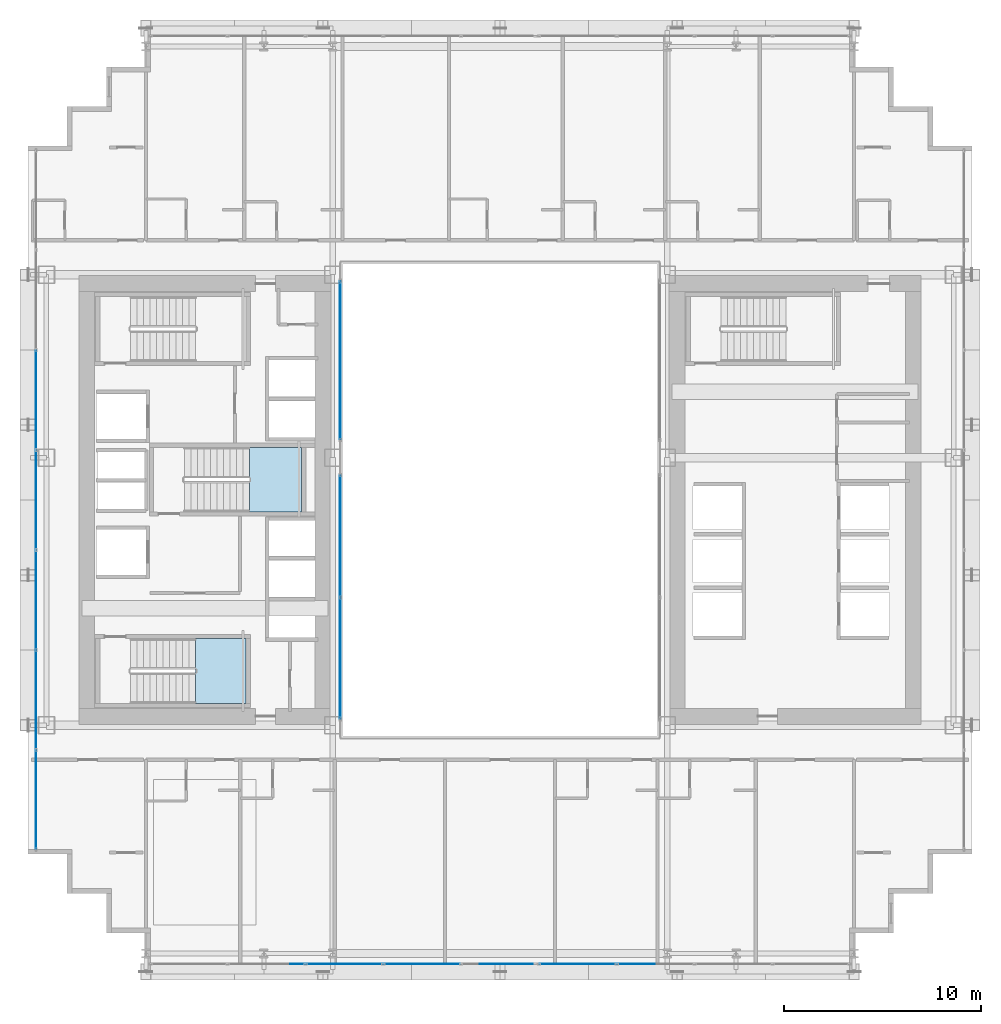
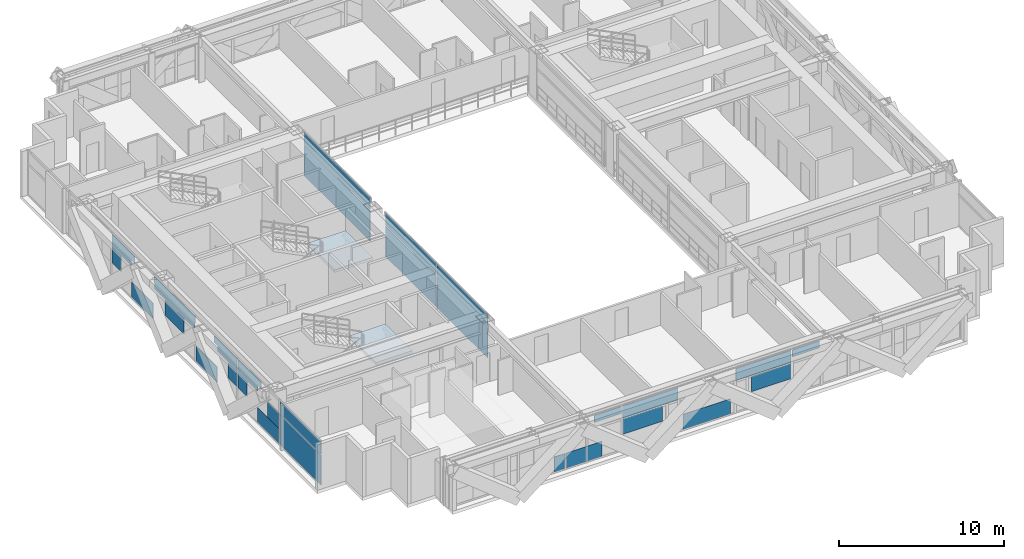
# One storey, part 27 of 41: 33 plates, 2 slabs, 6 elements without a shape of their own.
"""IFC4 building model written with IfcOpenShell, lengths in metres."""

from ifc_helpers import new_model, si_unit, direction, frame, origin, origin_2d, place, context, subcontext, project, spatial, polyline, rectangle, outline, extrude, source, transform, mapped, material, layer, layer_set, type_object, element, aggregate, save


model = new_model("IFC4")

# Units and contexts
model_context = context("Model", 3, precision=1e-05, world=origin(), true_north=direction((0.0, 1.0)))
body_context = subcontext(model_context, "Body", "Model", "MODEL_VIEW")
ifc_project = project(units=[si_unit("LENGTHUNIT", "METRE"), si_unit("AREAUNIT", "SQUARE_METRE"), si_unit("VOLUMEUNIT", "CUBIC_METRE"), si_unit("PLANEANGLEUNIT", "RADIAN"), si_unit("MASSUNIT", "GRAM", prefix="KILO")], contexts=[model_context])

# Site, building, storey
site_placement = place(None, origin())
site = spatial("IfcSite", under=ifc_project, at=site_placement, CompositionType="ELEMENT")
building_placement = place(site_placement, origin())
building = spatial("IfcBuilding", under=site, at=building_placement, Name="Ocotamira Hotel", CompositionType="ELEMENT")
storey_placement = place(building_placement, frame((0.0, 0.0, 67.199951171875)))
storey = spatial("IfcBuildingStorey", under=building, at=storey_placement, Name="L16", CompositionType="ELEMENT", Elevation=67.199951171875)

# Stair, slab
ifc_material_1 = material(Name="Concrete C40/50", Category="concrete")
stair_type = type_object("IfcStairType", Name="ST-CORE-1560", PredefinedType="HALF_TURN_STAIR", material=ifc_material_1)
stair_1_placement = place(storey_placement, origin())
stair_1 = element("IfcStair", 1, at=stair_1_placement, inside=storey, type_object=stair_type, Name="L16 Exit Stair ST-1", PredefinedType="HALF_TURN_STAIR")
ifc_layer_1 = layer(ifc_material_1, 0.199951171875)
ifc_layer_set_1 = layer_set([ifc_layer_1], Name="Concrete C40/50")
slab_type = type_object("IfcSlabType", Name="SLB-LAND-200", PredefinedType="LANDING", material=ifc_layer_set_1)
slab_1_placement = place(storey_placement, frame((0.0, 0.0, 1.60009765625)))
slab_1 = element("IfcSlab", 2, at=slab_1_placement, type_object=slab_type, Name="ST-1 landing 1", PredefinedType="LANDING", context=body_context, shape_type="SweptSolid", body=[
    extrude(outline(polyline([(16.530029296875, 15.669921875), (19.090087890625, 15.669921875), (19.090087890625, 18.949951171875), (16.530029296875, 18.949951171875), (16.530029296875, 15.669921875)])), origin(), (0.0, 0.0, 1.0), 0.199951171875),
])
aggregate(stair_1, [slab_1])

stair_2_placement = place(storey_placement, origin())
stair_2 = element("IfcStair", 3, at=stair_2_placement, inside=storey, type_object=stair_type, Name="L16 Exit Stair ST-3", PredefinedType="HALF_TURN_STAIR")
slab_2_placement = place(storey_placement, frame((0.0, 0.0, 1.60009765625)))
slab_2 = element("IfcSlab", 4, at=slab_2_placement, type_object=slab_type, Name="ST-3 landing 1", PredefinedType="LANDING", context=body_context, shape_type="SweptSolid", body=[
    extrude(outline(polyline([(19.260009765625, 25.39990234375), (21.919921875, 25.39990234375), (21.919921875, 28.679931640625), (19.260009765625, 28.679931640625), (19.260009765625, 25.39990234375)])), origin(), (0.0, 0.0, 1.0), 0.199951171875),
])
aggregate(stair_2, [slab_2])

# Curtain wall, plates
ifc_material_2 = material(Name="Anodised pale-metal aluminium and solar glass", Category="aluminium")
ifc_layer_2 = layer(ifc_material_2, 0.179931640625)
ifc_layer_set_2 = layer_set([ifc_layer_2], Name="Anodised pale-metal aluminium and solar glass")
curtain_wall_type_1 = type_object("IfcCurtainWallType", Name="CW-SYS2-Z1", PredefinedType="NOTDEFINED", material=ifc_layer_set_2)
curtain_wall_1_placement = place(storey_placement, origin())
curtain_wall_1 = element("IfcCurtainWall", 5, at=curtain_wall_1_placement, inside=storey, type_object=curtain_wall_type_1, Name="L16 Curtain Wall CW-2 CW-L16-S1", PredefinedType="NOTDEFINED")
ifc_material_3 = material(Name="Double-silver low-E insulated solar glass", Category="glass")
ifc_layer_3 = layer(ifc_material_3, 0.031982421875)
ifc_layer_set_3 = layer_set([ifc_layer_3], Name="Double-silver low-E insulated solar glass")
plate_type = type_object("IfcPlateType", Name="CWP-VISION-32", PredefinedType="CURTAIN_PANEL", material=ifc_layer_set_3)
shared_shape_1 = source(origin(), body_context, "Body", "SweptSolid", [
    extrude(rectangle(XDim=3.87548828125, YDim=0.031982421875, at=origin_2d()), origin(), (0.0, 0.0, 1.0), 0.887451171875),
])
plate_1_placement = place(storey_placement, frame((28.04443359375, 2.419921875, 2.3876953125), z_axis=(0.0, 0.0, 1.0), x_axis=(1.0, 0.0, 0.0)))
plate_1 = element("IfcPlate", 6, at=plate_1_placement, type_object=plate_type, Name="CW-2 panel 4.2", PredefinedType="CURTAIN_PANEL", context=body_context, shape_type="MappedRepresentation", body=[
    mapped(shared_shape_1, transform((0.0, 0.0, 0.0), scale=1.0)),
])
plate_2_placement = place(storey_placement, frame((35.95556640625, 2.419921875, 2.3876953125), z_axis=(0.0, 0.0, 1.0), x_axis=(1.0, 0.0, 0.0)))
plate_2 = element("IfcPlate", 7, at=plate_2_placement, type_object=plate_type, Name="CW-2 panel 6.2", PredefinedType="CURTAIN_PANEL", context=body_context, shape_type="MappedRepresentation", body=[
    mapped(shared_shape_1, transform((0.0, 0.0, 0.0), scale=1.0)),
])

curtain_wall_2_placement = place(storey_placement, origin())
curtain_wall_2 = element("IfcCurtainWall", 8, at=curtain_wall_2_placement, inside=storey, type_object=curtain_wall_type_1, Name="L16 Curtain Wall CW-2 CW-L16-W", PredefinedType="NOTDEFINED")
shared_shape_2 = source(origin(), body_context, "Body", "SweptSolid", [
    extrude(rectangle(XDim=4.9658203125, YDim=0.031982421875, at=origin_2d()), origin(), (0.0, 0.0, 1.0), 2.237548828125),
])
plate_3_placement = place(storey_placement, frame((8.419921875, 10.762939453125, 0.0751953125), z_axis=(0.0, 0.0, 1.0), x_axis=(0.0, 1.0, 0.0)))
plate_3 = element("IfcPlate", 9, at=plate_3_placement, type_object=plate_type, Name="CW-2 panel 1.1", PredefinedType="CURTAIN_PANEL", context=body_context, shape_type="MappedRepresentation", body=[
    mapped(shared_shape_2, transform((0.0, 0.0, 0.0), scale=1.0)),
])
shared_shape_3 = source(origin(), body_context, "Body", "SweptSolid", [
    extrude(rectangle(XDim=4.9658203125, YDim=0.031982421875, at=origin_2d()), origin(), (0.0, 0.0, 1.0), 0.887451171875),
])
plate_4_placement = place(storey_placement, frame((8.419921875, 10.762939453125, 2.3876953125), z_axis=(0.0, 0.0, 1.0), x_axis=(0.0, 1.0, 0.0)))
plate_4 = element("IfcPlate", 10, at=plate_4_placement, type_object=plate_type, Name="CW-2 panel 1.2", PredefinedType="CURTAIN_PANEL", context=body_context, shape_type="MappedRepresentation", body=[
    mapped(shared_shape_3, transform((0.0, 0.0, 0.0), scale=1.0)),
])

# Plate
shared_shape_4 = source(origin(), body_context, "Body", "SweptSolid", [
    extrude(rectangle(XDim=0.733642578125, YDim=0.031982421875, at=origin_2d()), origin(), (0.0, 0.0, 1.0), 1.11865234375),
])
plate_5_placement = place(storey_placement, frame((21.704345703125, 2.419921875, 0.0751953125), z_axis=(0.0, 0.0, 1.0), x_axis=(1.0, 0.0, 0.0)))
plate_5 = element("IfcPlate", 11, at=plate_5_placement, type_object=plate_type, Name="CW-2 panel 2.1.2", PredefinedType="CURTAIN_PANEL", context=body_context, shape_type="MappedRepresentation", body=[
    mapped(shared_shape_4, transform((0.0, 0.0, 0.0), scale=1.0)),
])

shared_shape_5 = source(origin(), body_context, "Body", "SweptSolid", [
    extrude(rectangle(XDim=2.51123046875, YDim=0.031982421875, at=origin_2d()), origin(), (0.0, 0.0, 1.0), 1.11865234375),
])
plate_6_placement = place(storey_placement, frame((23.40673828125, 2.419921875, 0.0751953125), z_axis=(0.0, 0.0, 1.0), x_axis=(1.0, 0.0, 0.0)))
plate_6 = element("IfcPlate", 12, at=plate_6_placement, type_object=plate_type, Name="CW-2 panel 3.1.1", PredefinedType="CURTAIN_PANEL", context=body_context, shape_type="MappedRepresentation", body=[
    mapped(shared_shape_5, transform((0.0, 0.0, 0.0), scale=1.0)),
])

shared_shape_6 = source(origin(), body_context, "Body", "SweptSolid", [
    extrude(rectangle(XDim=1.88671875, YDim=0.031982421875, at=origin_2d()), origin(), (0.0, 0.0, 1.0), 0.5107421875),
])
plate_7_placement = place(storey_placement, frame((25.08349609375, 2.419921875, 2.76416015625), z_axis=(0.0, 0.0, 1.0), x_axis=(1.0, 0.0, 0.0)))
plate_7 = element("IfcPlate", 13, at=plate_7_placement, type_object=plate_type, Name="CW-2 panel 3.2.1", PredefinedType="CURTAIN_PANEL", context=body_context, shape_type="MappedRepresentation", body=[
    mapped(shared_shape_6, transform((0.0, 0.0, 0.0), scale=1.0)),
])

plate_8_placement = place(storey_placement, frame((38.91650390625, 2.419921875, 2.76416015625), z_axis=(0.0, 0.0, 1.0), x_axis=(1.0, 0.0, 0.0)))
plate_8 = element("IfcPlate", 14, at=plate_8_placement, type_object=plate_type, Name="CW-2 panel 7.2.1", PredefinedType="CURTAIN_PANEL", context=body_context, shape_type="MappedRepresentation", body=[
    mapped(shared_shape_6, transform((0.0, 0.0, 0.0), scale=1.0)),
])

shared_shape_7 = source(origin(), body_context, "Body", "SweptSolid", [
    extrude(rectangle(XDim=3.324951171875, YDim=0.031982421875, at=origin_2d()), origin(), (0.0, 0.0, 1.0), 1.11865234375),
])
plate_9_placement = place(storey_placement, frame((32.0, 2.419921875, 0.0751953125), z_axis=(0.0, 0.0, 1.0), x_axis=(1.0, 0.0, 0.0)))
plate_9 = element("IfcPlate", 15, at=plate_9_placement, type_object=plate_type, Name="CW-2 panel 5.1.1", PredefinedType="CURTAIN_PANEL", context=body_context, shape_type="MappedRepresentation", body=[
    mapped(shared_shape_7, transform((0.0, 0.0, 0.0), scale=1.0)),
])

shared_shape_8 = source(origin(), body_context, "Body", "SweptSolid", [
    extrude(rectangle(XDim=2.58935546875, YDim=0.031982421875, at=origin_2d()), origin(), (0.0, 0.0, 1.0), 1.11865234375),
])
plate_10_placement = place(storey_placement, frame((8.419921875, 14.620361328125, 0.0751953125), z_axis=(0.0, 0.0, 1.0), x_axis=(0.0, 1.0, 0.0)))
plate_10 = element("IfcPlate", 16, at=plate_10_placement, type_object=plate_type, Name="CW-2 panel 2.1.1", PredefinedType="CURTAIN_PANEL", context=body_context, shape_type="MappedRepresentation", body=[
    mapped(shared_shape_8, transform((0.0, 0.0, 0.0), scale=1.0)),
])

shared_shape_9 = source(origin(), body_context, "Body", "SweptSolid", [
    extrude(rectangle(XDim=2.796630859375, YDim=0.031982421875, at=origin_2d()), origin(), (0.0, 0.0, 1.0), 0.485107421875),
])
plate_11_placement = place(storey_placement, frame((8.419921875, 16.93310546875, 2.7900390625), z_axis=(0.0, 0.0, 1.0), x_axis=(0.0, 1.0, 0.0)))
plate_11 = element("IfcPlate", 17, at=plate_11_placement, type_object=plate_type, Name="CW-2 panel 2.2.1", PredefinedType="CURTAIN_PANEL", context=body_context, shape_type="MappedRepresentation", body=[
    mapped(shared_shape_9, transform((0.0, 0.0, 0.0), scale=1.0)),
])

shared_shape_10 = source(origin(), body_context, "Body", "SweptSolid", [
    extrude(rectangle(XDim=2.3701171875, YDim=0.031982421875, at=origin_2d()), origin(), (0.0, 0.0, 1.0), 0.367919921875),
])
plate_12_placement = place(storey_placement, frame((8.419921875, 17.146240234375, 2.3876953125), z_axis=(0.0, 0.0, 1.0), x_axis=(0.0, 1.0, 0.0)))
plate_12 = element("IfcPlate", 18, at=plate_12_placement, type_object=plate_type, Name="CW-2 panel 2.2.2", PredefinedType="CURTAIN_PANEL", context=body_context, shape_type="MappedRepresentation", body=[
    mapped(shared_shape_10, transform((0.0, 0.0, 0.0), scale=1.0)),
])

shared_shape_11 = source(origin(), body_context, "Body", "SweptSolid", [
    extrude(rectangle(XDim=2.59912109375, YDim=0.031982421875, at=origin_2d()), origin(), (0.0, 0.0, 1.0), 1.11865234375),
])
plate_13_placement = place(storey_placement, frame((8.419921875, 22.11767578125, 0.0751953125), z_axis=(0.0, 0.0, 1.0), x_axis=(0.0, 1.0, 0.0)))
plate_13 = element("IfcPlate", 19, at=plate_13_placement, type_object=plate_type, Name="CW-2 panel 3.1.2", PredefinedType="CURTAIN_PANEL", context=body_context, shape_type="MappedRepresentation", body=[
    mapped(shared_shape_11, transform((0.0, 0.0, 0.0), scale=1.0)),
])

plate_14_placement = place(storey_placement, frame((8.419921875, 29.88232421875, 0.0751953125), z_axis=(0.0, 0.0, 1.0), x_axis=(0.0, 1.0, 0.0)))
plate_14 = element("IfcPlate", 20, at=plate_14_placement, type_object=plate_type, Name="CW-2 panel 5.1.1", PredefinedType="CURTAIN_PANEL", context=body_context, shape_type="MappedRepresentation", body=[
    mapped(shared_shape_11, transform((0.0, 0.0, 0.0), scale=1.0)),
])

shared_shape_12 = source(origin(), body_context, "Body", "SweptSolid", [
    extrude(rectangle(XDim=2.360595703125, YDim=0.031982421875, at=origin_2d()), origin(), (0.0, 0.0, 1.0), 0.367919921875),
])
plate_15_placement = place(storey_placement, frame((8.419921875, 19.591796875, 2.3876953125), z_axis=(0.0, 0.0, 1.0), x_axis=(0.0, 1.0, 0.0)))
plate_15 = element("IfcPlate", 21, at=plate_15_placement, type_object=plate_type, Name="CW-2 panel 3.2.1", PredefinedType="CURTAIN_PANEL", context=body_context, shape_type="MappedRepresentation", body=[
    mapped(shared_shape_12, transform((0.0, 0.0, 0.0), scale=1.0)),
])

plate_16_placement = place(storey_placement, frame((8.419921875, 32.408203125, 2.3876953125), z_axis=(0.0, 0.0, 1.0), x_axis=(0.0, 1.0, 0.0)))
plate_16 = element("IfcPlate", 22, at=plate_16_placement, type_object=plate_type, Name="CW-2 panel 5.2.2", PredefinedType="CURTAIN_PANEL", context=body_context, shape_type="MappedRepresentation", body=[
    mapped(shared_shape_12, transform((0.0, 0.0, 0.0), scale=1.0)),
])

shared_shape_13 = source(origin(), body_context, "Body", "SweptSolid", [
    extrude(rectangle(XDim=2.787109375, YDim=0.031982421875, at=origin_2d()), origin(), (0.0, 0.0, 1.0), 0.485107421875),
])
plate_17_placement = place(storey_placement, frame((8.419921875, 19.804931640625, 2.7900390625), z_axis=(0.0, 0.0, 1.0), x_axis=(0.0, 1.0, 0.0)))
plate_17 = element("IfcPlate", 23, at=plate_17_placement, type_object=plate_type, Name="CW-2 panel 3.2.2", PredefinedType="CURTAIN_PANEL", context=body_context, shape_type="MappedRepresentation", body=[
    mapped(shared_shape_13, transform((0.0, 0.0, 0.0), scale=1.0)),
])

plate_18_placement = place(storey_placement, frame((8.419921875, 32.195068359375, 2.7900390625), z_axis=(0.0, 0.0, 1.0), x_axis=(0.0, 1.0, 0.0)))
plate_18 = element("IfcPlate", 24, at=plate_18_placement, type_object=plate_type, Name="CW-2 panel 5.2.1", PredefinedType="CURTAIN_PANEL", context=body_context, shape_type="MappedRepresentation", body=[
    mapped(shared_shape_13, transform((0.0, 0.0, 0.0), scale=1.0)),
])

shared_shape_14 = source(origin(), body_context, "Body", "SweptSolid", [
    extrude(rectangle(XDim=5.005615234375, YDim=0.031982421875, at=origin_2d()), origin(), (0.0, 0.0, 1.0), 0.485107421875),
])
plate_19_placement = place(storey_placement, frame((8.419921875, 26.0, 2.7900390625), z_axis=(0.0, 0.0, 1.0), x_axis=(0.0, 1.0, 0.0)))
plate_19 = element("IfcPlate", 25, at=plate_19_placement, type_object=plate_type, Name="CW-2 panel 4.2.1", PredefinedType="CURTAIN_PANEL", context=body_context, shape_type="MappedRepresentation", body=[
    mapped(shared_shape_14, transform((0.0, 0.0, 0.0), scale=1.0)),
])

shared_shape_15 = source(origin(), body_context, "Body", "SweptSolid", [
    extrude(rectangle(XDim=4.81103515625, YDim=0.031982421875, at=origin_2d()), origin(), (0.0, 0.0, 1.0), 0.40234375),
])
plate_20_placement = place(storey_placement, frame((8.419921875, 26.0, 2.387451171875), z_axis=(0.0, 0.0, 1.0), x_axis=(0.0, 1.0, 0.0)))
plate_20 = element("IfcPlate", 26, at=plate_20_placement, type_object=plate_type, Name="CW-2 panel 4.2.2", PredefinedType="CURTAIN_PANEL", context=body_context, shape_type="MappedRepresentation", body=[
    mapped(shared_shape_15, transform((0.0, 0.0, 0.0), scale=1.0)),
])

# Curtain wall, plates
ifc_layer_4 = layer(ifc_material_2, 0.159912109375)
ifc_layer_set_4 = layer_set([ifc_layer_4], Name="Anodised pale-metal aluminium and solar glass")
curtain_wall_type_2 = type_object("IfcCurtainWallType", Name="CW-SYS6-ATR", PredefinedType="NOTDEFINED", material=ifc_layer_set_4)
curtain_wall_3_placement = place(storey_placement, origin())
curtain_wall_3 = element("IfcCurtainWall", 27, at=curtain_wall_3_placement, inside=storey, type_object=curtain_wall_type_2, Name="L16 Curtain Wall CW-6 CW-L16-ATRW1", PredefinedType="NOTDEFINED")
shared_shape_16 = source(origin(), body_context, "Body", "SweptSolid", [
    extrude(rectangle(XDim=6.1298828125, YDim=0.031982421875, at=origin_2d()), origin(), (0.0, 0.0, 1.0), 2.237548828125),
])
plate_21_placement = place(storey_placement, frame((23.8798828125, 17.945068359375, 0.0751953125), z_axis=(0.0, 0.0, 1.0), x_axis=(0.0, 1.0, 0.0)))
plate_21 = element("IfcPlate", 28, at=plate_21_placement, type_object=plate_type, Name="CW-6 panel 1.1", PredefinedType="CURTAIN_PANEL", context=body_context, shape_type="MappedRepresentation", body=[
    mapped(shared_shape_16, transform((0.0, 0.0, 0.0), scale=1.0)),
])
plate_22_placement = place(storey_placement, frame((23.8798828125, 24.155029296875, 0.0751953125), z_axis=(0.0, 0.0, 1.0), x_axis=(0.0, 1.0, 0.0)))
plate_22 = element("IfcPlate", 29, at=plate_22_placement, type_object=plate_type, Name="CW-6 panel 2.1", PredefinedType="CURTAIN_PANEL", context=body_context, shape_type="MappedRepresentation", body=[
    mapped(shared_shape_16, transform((0.0, 0.0, 0.0), scale=1.0)),
])
shared_shape_17 = source(origin(), body_context, "Body", "SweptSolid", [
    extrude(rectangle(XDim=6.1298828125, YDim=0.031982421875, at=origin_2d()), origin(), (0.0, 0.0, 1.0), 0.887451171875),
])
plate_23_placement = place(storey_placement, frame((23.8798828125, 17.945068359375, 2.3876953125), z_axis=(0.0, 0.0, 1.0), x_axis=(0.0, 1.0, 0.0)))
plate_23 = element("IfcPlate", 30, at=plate_23_placement, type_object=plate_type, Name="CW-6 panel 1.2", PredefinedType="CURTAIN_PANEL", context=body_context, shape_type="MappedRepresentation", body=[
    mapped(shared_shape_17, transform((0.0, 0.0, 0.0), scale=1.0)),
])
plate_24_placement = place(storey_placement, frame((23.8798828125, 24.155029296875, 2.3876953125), z_axis=(0.0, 0.0, 1.0), x_axis=(0.0, 1.0, 0.0)))
plate_24 = element("IfcPlate", 31, at=plate_24_placement, type_object=plate_type, Name="CW-6 panel 2.2", PredefinedType="CURTAIN_PANEL", context=body_context, shape_type="MappedRepresentation", body=[
    mapped(shared_shape_17, transform((0.0, 0.0, 0.0), scale=1.0)),
])
aggregate(curtain_wall_3, [plate_21, plate_23, plate_22, plate_24])

curtain_wall_4_placement = place(storey_placement, origin())
curtain_wall_4 = element("IfcCurtainWall", 32, at=curtain_wall_4_placement, inside=storey, type_object=curtain_wall_type_2, Name="L16 Curtain Wall CW-6 CW-L16-ATRW2", PredefinedType="NOTDEFINED")
shared_shape_18 = source(origin(), body_context, "Body", "SweptSolid", [
    extrude(rectangle(XDim=8.0400390625, YDim=0.031982421875, at=origin_2d()), origin(), (0.0, 0.0, 1.0), 2.237548828125),
])
plate_25_placement = place(storey_placement, frame((23.8798828125, 33.10009765625, 0.0751953125), z_axis=(0.0, 0.0, 1.0), x_axis=(0.0, 1.0, 0.0)))
plate_25 = element("IfcPlate", 33, at=plate_25_placement, type_object=plate_type, Name="CW-6 panel 1.1", PredefinedType="CURTAIN_PANEL", context=body_context, shape_type="MappedRepresentation", body=[
    mapped(shared_shape_18, transform((0.0, 0.0, 0.0), scale=1.0)),
])
shared_shape_19 = source(origin(), body_context, "Body", "SweptSolid", [
    extrude(rectangle(XDim=8.0400390625, YDim=0.031982421875, at=origin_2d()), origin(), (0.0, 0.0, 1.0), 0.887451171875),
])
plate_26_placement = place(storey_placement, frame((23.8798828125, 33.10009765625, 2.3876953125), z_axis=(0.0, 0.0, 1.0), x_axis=(0.0, 1.0, 0.0)))
plate_26 = element("IfcPlate", 34, at=plate_26_placement, type_object=plate_type, Name="CW-6 panel 1.2", PredefinedType="CURTAIN_PANEL", context=body_context, shape_type="MappedRepresentation", body=[
    mapped(shared_shape_19, transform((0.0, 0.0, 0.0), scale=1.0)),
])
aggregate(curtain_wall_4, [plate_25, plate_26])

# Plate
shared_shape_20 = source(origin(), body_context, "Body", "SweptSolid", [
    extrude(rectangle(XDim=2.27978515625, YDim=0.031982421875, at=origin_2d()), origin(), (0.0, 0.0, 1.0), 1.118896484375),
])
plate_27_placement = place(storey_placement, frame((8.419921875, 26.0, 1.19384765625), z_axis=(0.0, 0.0, 1.0), x_axis=(0.0, 1.0, 0.0)))
plate_27 = element("IfcPlate", 35, at=plate_27_placement, type_object=plate_type, Name="CW-2 panel 4.1.1", PredefinedType="CURTAIN_PANEL", context=body_context, shape_type="MappedRepresentation", body=[
    mapped(shared_shape_20, transform((0.0, 0.0, 0.0), scale=1.0)),
])

shared_shape_21 = source(origin(), body_context, "Body", "SweptSolid", [
    extrude(rectangle(XDim=2.790283203125, YDim=0.031982421875, at=origin_2d()), origin(), (0.0, 0.0, 1.0), 1.118896484375),
])
plate_28_placement = place(storey_placement, frame((27.501708984375, 2.419921875, 1.19384765625), z_axis=(0.0, 0.0, 1.0), x_axis=(1.0, 0.0, 0.0)))
plate_28 = element("IfcPlate", 36, at=plate_28_placement, type_object=plate_type, Name="CW-2 panel 4.1.1", PredefinedType="CURTAIN_PANEL", context=body_context, shape_type="MappedRepresentation", body=[
    mapped(shared_shape_21, transform((0.0, 0.0, 0.0), scale=1.0)),
])

plate_29_placement = place(storey_placement, frame((36.498291015625, 2.419921875, 1.19384765625), z_axis=(0.0, 0.0, 1.0), x_axis=(1.0, 0.0, 0.0)))
plate_29 = element("IfcPlate", 37, at=plate_29_placement, type_object=plate_type, Name="CW-2 panel 6.1.1", PredefinedType="CURTAIN_PANEL", context=body_context, shape_type="MappedRepresentation", body=[
    mapped(shared_shape_21, transform((0.0, 0.0, 0.0), scale=1.0)),
])

aggregate(curtain_wall_1, [plate_5, plate_6, plate_7, plate_28, plate_1, plate_9, plate_29, plate_2, plate_8])

shared_shape_22 = source(origin(), body_context, "Body", "SweptSolid", [
    extrude(rectangle(XDim=1.4033203125, YDim=0.031982421875, at=origin_2d()), origin(), (0.0, 0.0, 1.0), 1.118896484375),
])
plate_30_placement = place(storey_placement, frame((8.419921875, 14.02734375, 1.19384765625), z_axis=(0.0, 0.0, 1.0), x_axis=(0.0, 1.0, 0.0)))
plate_30 = element("IfcPlate", 38, at=plate_30_placement, type_object=plate_type, Name="CW-2 panel 2.1.2", PredefinedType="CURTAIN_PANEL", context=body_context, shape_type="MappedRepresentation", body=[
    mapped(shared_shape_22, transform((0.0, 0.0, 0.0), scale=1.0)),
])

shared_shape_23 = source(origin(), body_context, "Body", "SweptSolid", [
    extrude(rectangle(XDim=1.104736328125, YDim=0.031982421875, at=origin_2d()), origin(), (0.0, 0.0, 1.0), 1.118896484375),
])
plate_31_placement = place(storey_placement, frame((8.419921875, 17.779052734375, 1.19384765625), z_axis=(0.0, 0.0, 1.0), x_axis=(0.0, 1.0, 0.0)))
plate_31 = element("IfcPlate", 39, at=plate_31_placement, type_object=plate_type, Name="CW-2 panel 2.1.3", PredefinedType="CURTAIN_PANEL", context=body_context, shape_type="MappedRepresentation", body=[
    mapped(shared_shape_23, transform((0.0, 0.0, 0.0), scale=1.0)),
])

shared_shape_24 = source(origin(), body_context, "Body", "SweptSolid", [
    extrude(rectangle(XDim=1.094970703125, YDim=0.031982421875, at=origin_2d()), origin(), (0.0, 0.0, 1.0), 1.118896484375),
])
plate_32_placement = place(storey_placement, frame((8.419921875, 18.958984375, 1.19384765625), z_axis=(0.0, 0.0, 1.0), x_axis=(0.0, 1.0, 0.0)))
plate_32 = element("IfcPlate", 40, at=plate_32_placement, type_object=plate_type, Name="CW-2 panel 3.1.1", PredefinedType="CURTAIN_PANEL", context=body_context, shape_type="MappedRepresentation", body=[
    mapped(shared_shape_24, transform((0.0, 0.0, 0.0), scale=1.0)),
])

plate_33_placement = place(storey_placement, frame((8.419921875, 33.041015625, 1.19384765625), z_axis=(0.0, 0.0, 1.0), x_axis=(0.0, 1.0, 0.0)))
plate_33 = element("IfcPlate", 41, at=plate_33_placement, type_object=plate_type, Name="CW-2 panel 5.1.2", PredefinedType="CURTAIN_PANEL", context=body_context, shape_type="MappedRepresentation", body=[
    mapped(shared_shape_24, transform((0.0, 0.0, 0.0), scale=1.0)),
])

aggregate(curtain_wall_2, [plate_3, plate_4, plate_10, plate_30, plate_31, plate_11, plate_12, plate_32, plate_13, plate_15, plate_17, plate_27, plate_19, plate_20, plate_14, plate_33, plate_18, plate_16])

save(model, "model.ifc")
